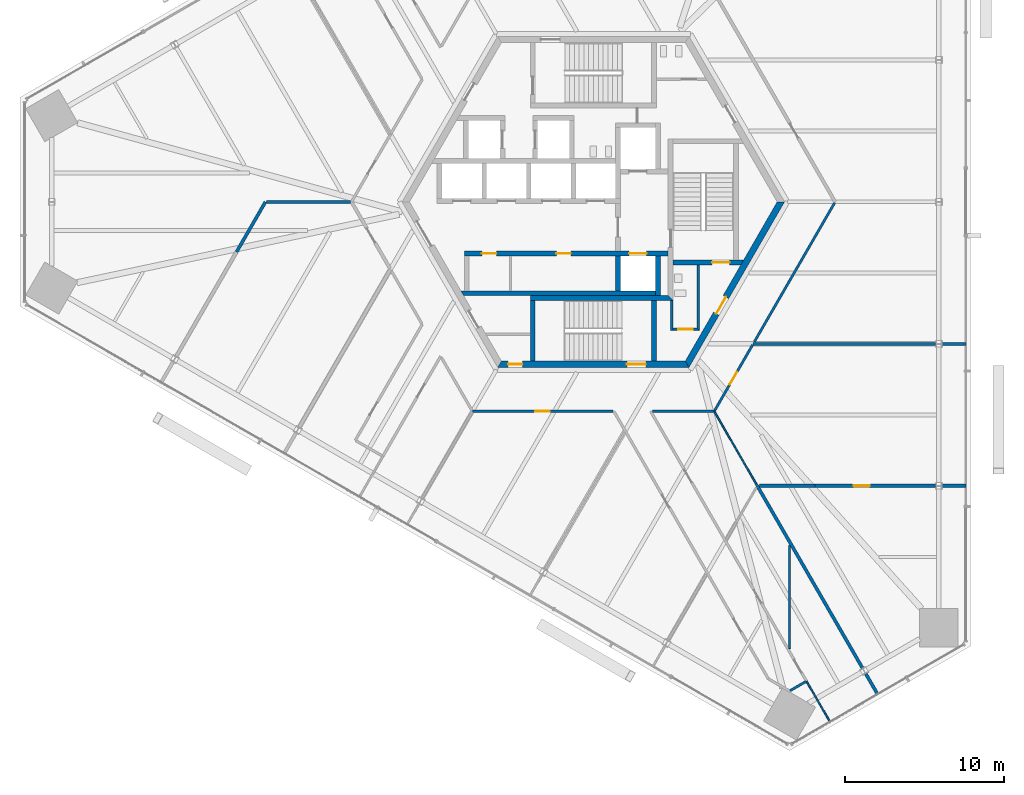
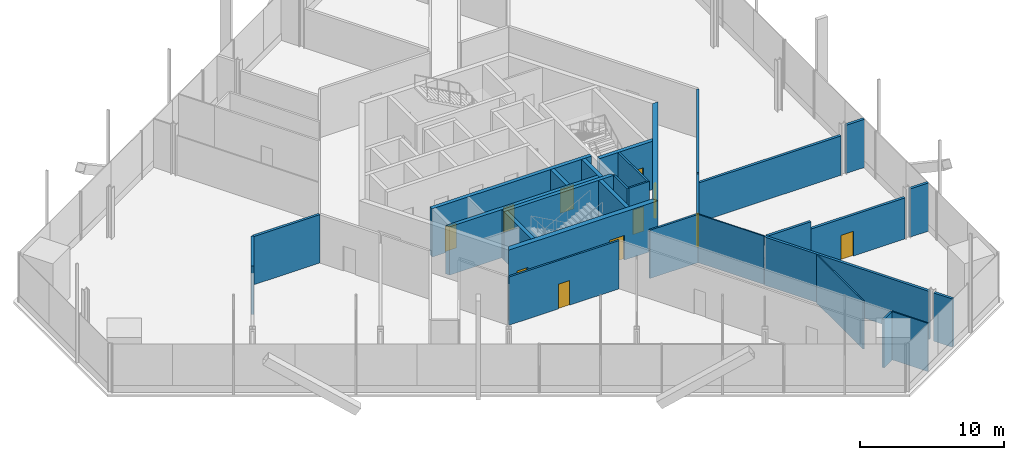
# One storey, part 11 of 19: 30 walls, 11 doors, 11 openings.
"""IFC4 building model written with IfcOpenShell, lengths in metres."""

from ifc_helpers import new_model, si_unit, direction, frame, frame_2d, origin, place, context, subcontext, project, spatial, polyline, rectangle, outline, extrude, source, transform, mapped, material, layer, layer_set, type_object, element, fill, save


model = new_model("IFC4")

# Units and contexts
model_context = context("Model", 3, precision=1e-05, world=origin(), true_north=direction((0.0, 1.0)))
body_context = subcontext(model_context, "Body", "Model", "MODEL_VIEW")
ifc_project = project(units=[si_unit("LENGTHUNIT", "METRE"), si_unit("AREAUNIT", "SQUARE_METRE"), si_unit("VOLUMEUNIT", "CUBIC_METRE"), si_unit("PLANEANGLEUNIT", "RADIAN"), si_unit("MASSUNIT", "GRAM", prefix="KILO")], contexts=[model_context])

# Site, building, storey
site_placement = place(None, origin())
site = spatial("IfcSite", under=ifc_project, at=site_placement, CompositionType="ELEMENT")
building_placement = place(site_placement, origin())
building = spatial("IfcBuilding", under=site, at=building_placement, Name="Triune Harvest Tower", CompositionType="ELEMENT")
storey_placement = place(building_placement, frame((0.0, 0.0, 41.800048828125)))
storey = spatial("IfcBuildingStorey", under=building, at=storey_placement, Name="L09", CompositionType="ELEMENT", Elevation=41.800048828125)

# Wall, opening, door
ifc_material_1 = material(Name="Gypsum board on steel studs", Category="steel")
ifc_layer_1 = layer(ifc_material_1, 0.14990234375)
ifc_layer_set_1 = layer_set([ifc_layer_1], Name="Gypsum board on steel studs")
wall_type_1 = type_object("IfcWallType", Name="Fire Partition 150 mm", PredefinedType="PARTITIONING", material=ifc_layer_set_1)
wall_1_placement = place(storey_placement, frame((-7.587646484375, -13.142333984375, 0.0), z_axis=(0.0, 0.0, 1.0), x_axis=(1.0, 0.0, 0.0)))
wall_1 = element("IfcWall", 1, at=wall_1_placement, inside=storey, type_object=wall_type_1, Name="Partition L09 028", PredefinedType="PARTITIONING", context=body_context, shape_type="SweptSolid", body=[
    extrude(rectangle(XDim=8.82666015625, YDim=0.14990234375, at=frame_2d((4.413330078125, 0.0))), origin(), (0.0, 0.0, 1.0), 4.099853515625),
])
opening_1_placement = place(wall_1_placement, frame((3.949951171875, 0.0, 0.0)))
opening_1 = element("IfcOpeningElement", 2, at=opening_1_placement, cuts=wall_1, Name="Opening L09-016", PredefinedType="OPENING", context=body_context, shape_type="SweptSolid", body=[
    extrude(rectangle(XDim=0.89990234375, YDim=2.10009765625, at=frame_2d((0.449951171875, 1.050048828125))), frame((0.0, 0.0849609375, 0.0), z_axis=(0.0, -1.0, 0.0), x_axis=(1.0, 0.0, 0.0)), (0.0, 0.0, 1.0), 0.169921875),
])
ifc_material_2 = material(Name="Timber and steel door set", Category="steel")
door_type_1 = type_object("IfcDoorType", Name="Single leaf door FD30 right hand 900 x 2100", OperationType="SINGLE_SWING_RIGHT", PredefinedType="DOOR", material=ifc_material_2)
door_1_placement = place(opening_1_placement, origin())
door_1 = element("IfcDoor", 3, at=door_1_placement, inside=storey, type_object=door_type_1, Name="Door L09-016 Packing Room 09.16", OperationType="SINGLE_SWING_RIGHT", OverallHeight=2.10009765625, OverallWidth=0.89990234375, PredefinedType="DOOR", context=body_context, shape_type="SweptSolid", body=[
    extrude(rectangle(XDim=0.89990234375, YDim=2.10009765625, at=frame_2d((0.449951171875, 1.050048828125))), frame((0.0, 0.02490234375, 0.0), z_axis=(0.0, -1.0, 0.0), x_axis=(1.0, 0.0, 0.0)), (0.0, 0.0, 1.0), 0.050048828125),
])
fill(opening_1, door_1)

# Wall
wall_2_placement = place(storey_placement, frame((3.708251953125, -13.142333984375, 0.0), z_axis=(0.0, 0.0, 1.0), x_axis=(1.0, 0.0, 0.0)))
element("IfcWall", 4, at=wall_2_placement, inside=storey, type_object=wall_type_1, Name="Partition L09 029", PredefinedType="PARTITIONING", context=body_context, shape_type="SweptSolid", body=[
    extrude(rectangle(XDim=3.859375, YDim=0.14990234375, at=frame_2d((1.9296875, 0.0))), origin(), (0.0, 0.0, 1.0), 4.099853515625),
])

# Wall, opening, door
wall_3_placement = place(storey_placement, frame((7.602783203125, -13.1162109375, 0.0), z_axis=(0.0, 0.0, 1.0), x_axis=(0.500011970786, 0.866018492338, 0.0)))
wall_3 = element("IfcWall", 5, at=wall_3_placement, inside=storey, type_object=wall_type_1, Name="Partition L09 041", PredefinedType="PARTITIONING", context=body_context, shape_type="SweptSolid", body=[
    extrude(rectangle(XDim=4.79345703125, YDim=0.14990234375, at=frame_2d((2.396728515625, 0.0))), origin(), (0.0, 0.0, 1.0), 4.099853515625),
])
opening_2_placement = place(wall_3_placement, frame((1.919921875, 0.0, 0.0)))
opening_2 = element("IfcOpeningElement", 6, at=opening_2_placement, cuts=wall_3, Name="Opening L09-002", PredefinedType="OPENING", context=body_context, shape_type="SweptSolid", body=[
    extrude(rectangle(XDim=0.89990234375, YDim=2.10009765625, at=frame_2d((0.449951171875, 1.050048828125))), frame((0.0, 0.0849609375, 0.0), z_axis=(0.0, -1.0, 0.0), x_axis=(1.0, 0.0, 0.0)), (0.0, 0.0, 1.0), 0.169921875),
])
door_2_placement = place(opening_2_placement, origin())
door_2 = element("IfcDoor", 7, at=door_2_placement, inside=storey, type_object=door_type_1, Name="Door L09-002 Packing Room 09.02", OperationType="SINGLE_SWING_RIGHT", OverallHeight=2.10009765625, OverallWidth=0.89990234375, PredefinedType="DOOR", context=body_context, shape_type="SweptSolid", body=[
    extrude(rectangle(XDim=0.89990234375, YDim=2.10009765625, at=frame_2d((0.449951171875, 1.050048828125))), frame((0.0, 0.02490234375, 0.0), z_axis=(0.0, -1.0, 0.0), x_axis=(1.0, 0.0, 0.0)), (0.0, 0.0, 1.0), 0.050048828125),
])
fill(opening_2, door_2)

# Walls
wall_4_placement = place(storey_placement, frame((10.099609375, -8.791748046875, 0.0), z_axis=(0.0, 0.0, 1.0), x_axis=(0.499985875816, 0.866033558232, 0.0)))
element("IfcWall", 8, at=wall_4_placement, inside=storey, type_object=wall_type_1, Name="Partition L09 042", PredefinedType="PARTITIONING", context=body_context, shape_type="SweptSolid", body=[
    extrude(rectangle(XDim=10.081787109375, YDim=0.14990234375, at=frame_2d((5.041015625, 0.0))), origin(), (0.0, 0.0, 1.0), 4.099853515625),
])
ifc_material_3 = material(Name="Gypsum board on steel studs", Category="steel")
ifc_layer_2 = layer(ifc_material_3, 0.199951171875)
ifc_layer_set_2 = layer_set([ifc_layer_2], Name="Gypsum board on steel studs")
wall_type_2 = type_object("IfcWallType", Name="Fire Wall 200 mm", PredefinedType="PARTITIONING", material=ifc_layer_set_2)
wall_5_placement = place(storey_placement, frame((10.288330078125, -17.820068359375, 0.0), z_axis=(0.0, 0.0, 1.0), x_axis=(0.500008633047, -0.866020419435, 0.0)))
element("IfcWall", 9, at=wall_5_placement, inside=storey, type_object=wall_type_2, Name="Partition L09 015", PredefinedType="PARTITIONING", context=body_context, shape_type="SweptSolid", body=[
    extrude(rectangle(XDim=13.218505859375, YDim=0.199951171875, at=frame_2d((6.609375, 0.0))), origin(), (0.0, 0.0, 1.0), 4.099853515625),
])
wall_6_placement = place(storey_placement, frame((10.4384765625, -17.820068359375, 0.0), z_axis=(0.0, 0.0, 1.0), x_axis=(1.0, 0.0, 0.0)))
element("IfcWall", 10, at=wall_6_placement, inside=storey, type_object=wall_type_2, Name="Partition L09 026", PredefinedType="PARTITIONING", context=body_context, shape_type="SweptSolid", body=[
    extrude(rectangle(XDim=3.4794921875, YDim=0.199951171875, at=frame_2d((1.73974609375, 0.0))), origin(), (0.0, 0.0, 1.0), 4.099853515625),
])
wall_7_placement = place(storey_placement, frame((-20.506591796875, 0.0, 0.0), z_axis=(0.0, 0.0, 1.0), x_axis=(1.0, 0.0, 0.0)))
element("IfcWall", 11, at=wall_7_placement, inside=storey, type_object=wall_type_2, Name="Partition L09 032", PredefinedType="PARTITIONING", context=body_context, shape_type="SweptSolid", body=[
    extrude(rectangle(XDim=5.28125, YDim=0.199951171875, at=frame_2d((2.640625, 0.0))), origin(), (0.0, 0.0, 1.0), 4.099853515625),
])
wall_8_placement = place(storey_placement, frame((-22.3916015625, -3.143310546875, 0.0), z_axis=(0.0, 0.0, 1.0), x_axis=(0.500031038943, 0.8660074827, 0.0)))
element("IfcWall", 12, at=wall_8_placement, inside=storey, type_object=wall_type_2, Name="Partition L09 062a", PredefinedType="PARTITIONING", context=body_context, shape_type="SweptSolid", body=[
    extrude(rectangle(XDim=3.629638671875, YDim=0.199951171875, at=frame_2d((1.81494140625, 0.0))), origin(), (0.0, 0.0, 1.0), 4.099853515625),
])
ifc_material_4 = material(Name="Gypsum board on steel studs", Category="steel")
ifc_layer_3 = layer(ifc_material_4, 0.10009765625)
ifc_layer_set_3 = layer_set([ifc_layer_3], Name="Gypsum board on steel studs")
wall_type_3 = type_object("IfcWallType", Name="Partition 100 mm", PredefinedType="PARTITIONING", material=ifc_layer_set_3)
wall_9_placement = place(storey_placement, frame((7.587646484375, -13.142333984375, 0.0), z_axis=(0.0, 0.0, 1.0), x_axis=(0.499998380488, -0.866026338808, 0.0)))
element("IfcWall", 13, at=wall_9_placement, inside=storey, type_object=wall_type_3, Name="Partition L09 014", PredefinedType="PARTITIONING", context=body_context, shape_type="SweptSolid", body=[
    extrude(rectangle(XDim=5.361328125, YDim=0.10009765625, at=frame_2d((2.6806640625, 0.0))), origin(), (0.0, 0.0, 1.0), 4.099853515625),
])
wall_10_placement = place(storey_placement, frame((12.30908203125, -28.039794921875, 0.0), z_axis=(0.0, 0.0, 1.0), x_axis=(0.0, 1.0, 0.0)))
element("IfcWall", 14, at=wall_10_placement, inside=storey, type_object=wall_type_3, Name="Partition L09 063", PredefinedType="PARTITIONING", context=body_context, shape_type="SweptSolid", body=[
    extrude(rectangle(XDim=6.4697265625, YDim=0.10009765625, at=frame_2d((3.23486328125, 0.0))), origin(), (0.0, 0.0, 1.0), 4.099853515625),
])

# Wall, openings, doors
ifc_material_5 = material(Name="Concrete 70 MPa", Category="concrete")
ifc_layer_4 = layer(ifc_material_5, 0.39990234375)
ifc_layer_set_4 = layer_set([ifc_layer_4], Name="Concrete 70 MPa")
wall_type_4 = type_object("IfcWallType", Name="Core wall 400", PredefinedType="SHEAR", material=ifc_layer_set_4)
shared_shape_1 = source(origin(), body_context, "Body", "SweptSolid", [
    extrude(outline(polyline([(-0.115478515625, -0.199951171875), (11.884521484375, -0.199951171875), (11.653564453125, 0.199951171875), (0.115478515625, 0.199951171875), (-0.115478515625, -0.199951171875)])), origin(), (0.0, 0.0, 1.0), 4.099853515625),
])
wall_11_placement = place(storey_placement, frame((-5.884521484375, -10.1923828125, 0.0), z_axis=(0.0, 0.0, 1.0), x_axis=(1.0, 0.0, 0.0)))
wall_11 = element("IfcWall", 15, at=wall_11_placement, inside=storey, type_object=wall_type_4, Name="Hexagon 4 wall", PredefinedType="SHEAR", context=body_context, shape_type="MappedRepresentation", body=[
    mapped(shared_shape_1, transform((0.0, 0.0, 0.0), scale=1.0)),
])
opening_3_placement = place(wall_11_placement, frame((7.984619140625, 0.0, 0.0)))
opening_3 = element("IfcOpeningElement", 16, at=opening_3_placement, cuts=wall_11, Name="Opening CD-S2P", PredefinedType="OPENING", context=body_context, shape_type="SweptSolid", body=[
    extrude(rectangle(XDim=1.199951171875, YDim=2.10009765625, at=frame_2d((0.60009765625, 1.050048828125))), frame((0.0, 0.2099609375, 0.0), z_axis=(0.0, -1.0, 0.0), x_axis=(1.0, 0.0, 0.0)), (0.0, 0.0, 1.0), 0.419921875),
])
opening_4_placement = place(wall_11_placement, frame((0.534423828125, 0.0, 0.0)))
opening_4 = element("IfcOpeningElement", 17, at=opening_4_placement, cuts=wall_11, Name="Opening CD-SWS", PredefinedType="OPENING", context=body_context, shape_type="SweptSolid", body=[
    extrude(rectangle(XDim=0.89990234375, YDim=2.10009765625, at=frame_2d((0.449951171875, 1.050048828125))), frame((0.0, 0.2099609375, 0.0), z_axis=(0.0, -1.0, 0.0), x_axis=(1.0, 0.0, 0.0)), (0.0, 0.0, 1.0), 0.419921875),
])
ifc_material_6 = material(Name="Steel S235", Category="steel")
door_type_2 = type_object("IfcDoorType", Name="Riser door 900 FD120", OperationType="SINGLE_SWING_LEFT", PredefinedType="DOOR", material=ifc_material_6)
door_3_placement = place(opening_4_placement, frame((0.89990234375, 0.0, 0.0), z_axis=(0.0, 0.0, 1.0), x_axis=(-1.0, 0.0, 0.0)))
door_3 = element("IfcDoor", 18, at=door_3_placement, inside=storey, type_object=door_type_2, Name="Door CD-SWS", OperationType="SINGLE_SWING_RIGHT", OverallHeight=2.10009765625, OverallWidth=0.89990234375, PredefinedType="DOOR", context=body_context, shape_type="SweptSolid", body=[
    extrude(rectangle(XDim=0.89990234375, YDim=2.10009765625, at=frame_2d((0.449951171875, 1.050048828125))), frame((0.0, 0.02490234375, 0.0), z_axis=(0.0, -1.0, 0.0), x_axis=(1.0, 0.0, 0.0)), (0.0, 0.0, 1.0), 0.050048828125),
])
fill(opening_4, door_3)
ifc_material_7 = material(Name="Steel S235", Category="steel")
door_type_3 = type_object("IfcDoorType", Name="Stair door 1200 FD120", OperationType="SINGLE_SWING_LEFT", PredefinedType="DOOR", material=ifc_material_7)
door_4_placement = place(opening_3_placement, frame((1.199951171875, 0.0, 0.0), z_axis=(0.0, 0.0, 1.0), x_axis=(-1.0, 0.0, 0.0)))
door_4 = element("IfcDoor", 19, at=door_4_placement, inside=storey, type_object=door_type_3, Name="Door CD-S2P", OperationType="SINGLE_SWING_RIGHT", OverallHeight=2.10009765625, OverallWidth=1.199951171875, PredefinedType="DOOR", context=body_context, shape_type="SweptSolid", body=[
    extrude(rectangle(XDim=1.199951171875, YDim=2.10009765625, at=frame_2d((0.60009765625, 1.050048828125))), frame((0.0, 0.02490234375, 0.0), z_axis=(0.0, -1.0, 0.0), x_axis=(1.0, 0.0, 0.0)), (0.0, 0.0, 1.0), 0.050048828125),
])
fill(opening_3, door_4)

# Wall, opening, door
wall_12_placement = place(storey_placement, frame((5.884521484375, -10.1923828125, 0.0), z_axis=(0.0, 0.0, 1.0), x_axis=(0.499996592174, 0.866027371285, 0.0)))
wall_12 = element("IfcWall", 20, at=wall_12_placement, inside=storey, type_object=wall_type_4, Name="Hexagon 5 wall", PredefinedType="SHEAR", context=body_context, shape_type="MappedRepresentation", body=[
    mapped(shared_shape_1, transform((0.0, 0.0, 0.0), scale=1.0)),
])
opening_5_placement = place(wall_12_placement, frame((3.66455078125, 0.0, 0.0)))
opening_5 = element("IfcOpeningElement", 21, at=opening_5_placement, cuts=wall_12, Name="Opening CD-DP", PredefinedType="OPENING", context=body_context, shape_type="SweptSolid", body=[
    extrude(rectangle(XDim=1.199951171875, YDim=2.10009765625, at=frame_2d((0.60009765625, 1.050048828125))), frame((0.0, 0.2099609375, 0.0), z_axis=(0.0, -1.0, 0.0), x_axis=(1.0, 0.0, 0.0)), (0.0, 0.0, 1.0), 0.419921875),
])
door_5_placement = place(opening_5_placement, frame((1.199951171875, 0.0, 0.0), z_axis=(0.0, 0.0, 1.0), x_axis=(-1.0, 0.0, 0.0)))
door_5 = element("IfcDoor", 22, at=door_5_placement, inside=storey, type_object=door_type_3, Name="Door CD-DP", OperationType="SINGLE_SWING_RIGHT", OverallHeight=2.10009765625, OverallWidth=1.199951171875, PredefinedType="DOOR", context=body_context, shape_type="SweptSolid", body=[
    extrude(rectangle(XDim=1.199951171875, YDim=2.10009765625, at=frame_2d((0.60009765625, 1.050048828125))), frame((0.0, 0.02490234375, 0.0), z_axis=(0.0, -1.0, 0.0), x_axis=(1.0, 0.0, 0.0)), (0.0, 0.0, 1.0), 0.050048828125),
])
fill(opening_5, door_5)

# Wall
ifc_material_8 = material(Name="Concrete 70 MPa", Category="concrete")
ifc_layer_5 = layer(ifc_material_8, 0.300048828125)
ifc_layer_set_5 = layer_set([ifc_layer_5], Name="Concrete 70 MPa")
wall_type_5 = type_object("IfcWallType", Name="Core wall 300", PredefinedType="SHEAR", material=ifc_layer_set_5)
shared_shape_2 = source(origin(), body_context, "Body", "SweptSolid", [
    extrude(rectangle(XDim=2.5, YDim=0.300048828125, at=frame_2d((1.25, 0.0))), origin(), (0.0, 0.0, 1.0), 4.099853515625),
])
wall_13_placement = place(storey_placement, frame((4.050048828125, -5.889892578125, 0.0), z_axis=(0.0, 0.0, 1.0), x_axis=(0.0, 1.0, 0.0)))
element("IfcWall", 23, at=wall_13_placement, inside=storey, type_object=wall_type_5, Name="Ff2 east wall", PredefinedType="SHEAR", context=body_context, shape_type="MappedRepresentation", body=[
    mapped(shared_shape_2, transform((0.0, 0.0, 0.0), scale=1.0)),
])

# Wall, openings, doors
shared_shape_3 = source(origin(), body_context, "Body", "SweptSolid", [
    extrude(rectangle(XDim=12.800048828125, YDim=0.300048828125, at=frame_2d((6.39990234375, 0.0))), origin(), (0.0, 0.0, 1.0), 4.099853515625),
])
wall_14_placement = place(storey_placement, frame((-8.10009765625, -3.239990234375, 0.0), z_axis=(0.0, 0.0, 1.0), x_axis=(1.0, 0.0, 0.0)))
wall_14 = element("IfcWall", 24, at=wall_14_placement, inside=storey, type_object=wall_type_5, Name="South front wall", PredefinedType="SHEAR", context=body_context, shape_type="MappedRepresentation", body=[
    mapped(shared_shape_3, transform((0.0, 0.0, 0.0), scale=1.0)),
])
opening_6_placement = place(wall_14_placement, frame((1.112548828125, 0.0, 0.0)))
opening_6 = element("IfcOpeningElement", 25, at=opening_6_placement, cuts=wall_14, Name="Opening CD-RS1", PredefinedType="OPENING", context=body_context, shape_type="SweptSolid", body=[
    extrude(rectangle(XDim=0.89990234375, YDim=2.10009765625, at=frame_2d((0.449951171875, 1.050048828125))), frame((0.0, 0.16015625, 0.0), z_axis=(0.0, -1.0, 0.0), x_axis=(1.0, 0.0, 0.0)), (0.0, 0.0, 1.0), 0.320068359375),
])
opening_7_placement = place(wall_14_placement, frame((5.78759765625, 0.0, 0.0)))
opening_7 = element("IfcOpeningElement", 26, at=opening_7_placement, cuts=wall_14, Name="Opening CD-RS2", PredefinedType="OPENING", context=body_context, shape_type="SweptSolid", body=[
    extrude(rectangle(XDim=0.89990234375, YDim=2.10009765625, at=frame_2d((0.449951171875, 1.050048828125))), frame((0.0, 0.16015625, 0.0), z_axis=(0.0, -1.0, 0.0), x_axis=(1.0, 0.0, 0.0)), (0.0, 0.0, 1.0), 0.320068359375),
])
opening_8_placement = place(wall_14_placement, frame((10.35009765625, 0.0, 0.0)))
opening_8 = element("IfcOpeningElement", 27, at=opening_8_placement, cuts=wall_14, Name="Opening LD-FF2-09", PredefinedType="OPENING", context=body_context, shape_type="SweptSolid", body=[
    extrude(rectangle(XDim=1.10009765625, YDim=2.10009765625, at=frame_2d((0.550048828125, 1.050048828125))), frame((0.0, 0.16015625, 0.0), z_axis=(0.0, -1.0, 0.0), x_axis=(1.0, 0.0, 0.0)), (0.0, 0.0, 1.0), 0.320068359375),
])
ifc_material_9 = material(Name="Stainless steel AISI 304", Category="steel")
door_type_4 = type_object("IfcDoorType", Name="Landing door 1100 x 2100", OperationType="DOUBLE_DOOR_SLIDING", PredefinedType="DOOR", material=ifc_material_9)
door_6_placement = place(opening_8_placement, origin())
door_6 = element("IfcDoor", 28, at=door_6_placement, inside=storey, type_object=door_type_4, Name="Door LD-FF2-09", OperationType="DOUBLE_DOOR_SLIDING", OverallHeight=2.10009765625, OverallWidth=1.10009765625, PredefinedType="DOOR", context=body_context, shape_type="SweptSolid", body=[
    extrude(rectangle(XDim=1.10009765625, YDim=2.10009765625, at=frame_2d((0.550048828125, 1.050048828125))), frame((0.0, 0.02490234375, 0.0), z_axis=(0.0, -1.0, 0.0), x_axis=(1.0, 0.0, 0.0)), (0.0, 0.0, 1.0), 0.050048828125),
])
fill(opening_8, door_6)
door_7_placement = place(opening_6_placement, origin())
door_7 = element("IfcDoor", 29, at=door_7_placement, inside=storey, type_object=door_type_2, Name="Door CD-RS1", OperationType="SINGLE_SWING_LEFT", OverallHeight=2.10009765625, OverallWidth=0.89990234375, PredefinedType="DOOR", context=body_context, shape_type="SweptSolid", body=[
    extrude(rectangle(XDim=0.89990234375, YDim=2.10009765625, at=frame_2d((0.449951171875, 1.050048828125))), frame((0.0, 0.02490234375, 0.0), z_axis=(0.0, -1.0, 0.0), x_axis=(1.0, 0.0, 0.0)), (0.0, 0.0, 1.0), 0.050048828125),
])
fill(opening_6, door_7)
door_8_placement = place(opening_7_placement, origin())
door_8 = element("IfcDoor", 30, at=door_8_placement, inside=storey, type_object=door_type_2, Name="Door CD-RS2", OperationType="SINGLE_SWING_LEFT", OverallHeight=2.10009765625, OverallWidth=0.89990234375, PredefinedType="DOOR", context=body_context, shape_type="SweptSolid", body=[
    extrude(rectangle(XDim=0.89990234375, YDim=2.10009765625, at=frame_2d((0.449951171875, 1.050048828125))), frame((0.0, 0.02490234375, 0.0), z_axis=(0.0, -1.0, 0.0), x_axis=(1.0, 0.0, 0.0)), (0.0, 0.0, 1.0), 0.050048828125),
])
fill(opening_7, door_8)

# Walls
shared_shape_4 = source(origin(), body_context, "Body", "SweptSolid", [
    extrude(outline(polyline([(12.0, -0.14990234375), (-0.039794921875, -0.14990234375), (-0.212890625, 0.14990234375), (12.0, 0.14990234375), (12.0, -0.14990234375)])), origin(), (0.0, 0.0, 1.0), 4.099853515625),
])
wall_15_placement = place(storey_placement, frame((-8.10009765625, -5.739990234375, 0.0), z_axis=(0.0, 0.0, 1.0), x_axis=(1.0, 0.0, 0.0)))
element("IfcWall", 31, at=wall_15_placement, inside=storey, type_object=wall_type_5, Name="South back wall", PredefinedType="SHEAR", context=body_context, shape_type="MappedRepresentation", body=[
    mapped(shared_shape_4, transform((0.0, 0.0, 0.0), scale=1.0)),
])
shared_shape_5 = source(origin(), body_context, "Body", "SweptSolid", [
    extrude(rectangle(XDim=2.2001953125, YDim=0.300048828125, at=frame_2d((1.10009765625, 0.0))), origin(), (0.0, 0.0, 1.0), 4.099853515625),
])
wall_16_placement = place(storey_placement, frame((1.550048828125, -5.590087890625, 0.0), z_axis=(0.0, 0.0, 1.0), x_axis=(0.0, 1.0, 0.0)))
element("IfcWall", 32, at=wall_16_placement, inside=storey, type_object=wall_type_5, Name="Ff2 west wall", PredefinedType="SHEAR", context=body_context, shape_type="MappedRepresentation", body=[
    mapped(shared_shape_5, transform((0.0, 0.0, 0.0), scale=1.0)),
])

# Wall, opening, door
shared_shape_6 = source(origin(), body_context, "Body", "SweptSolid", [
    extrude(outline(polyline([(0.0, -0.14990234375), (0.0, 0.14990234375), (4.43310546875, 0.14990234375), (4.260009765625, -0.14990234375), (0.0, -0.14990234375)])), origin(), (0.0, 0.0, 1.0), 4.099853515625),
])
wall_17_placement = place(storey_placement, frame((5.0, -3.800048828125, 0.0), z_axis=(0.0, 0.0, 1.0), x_axis=(1.0, 0.0, 0.0)))
wall_17 = element("IfcWall", 33, at=wall_17_placement, inside=storey, type_object=wall_type_5, Name="Stair e south wall", PredefinedType="SHEAR", context=body_context, shape_type="MappedRepresentation", body=[
    mapped(shared_shape_6, transform((0.0, 0.0, 0.0), scale=1.0)),
])
opening_9_placement = place(wall_17_placement, frame((2.449951171875, 0.0, 0.0)))
opening_9 = element("IfcOpeningElement", 34, at=opening_9_placement, cuts=wall_17, Name="Opening CD-S3D", PredefinedType="OPENING", context=body_context, shape_type="SweptSolid", body=[
    extrude(rectangle(XDim=1.10009765625, YDim=2.10009765625, at=frame_2d((0.550048828125, 1.050048828125))), frame((0.0, 0.16015625, 0.0), z_axis=(0.0, -1.0, 0.0), x_axis=(1.0, 0.0, 0.0)), (0.0, 0.0, 1.0), 0.320068359375),
])
ifc_material_10 = material(Name="Steel S235", Category="steel")
door_type_5 = type_object("IfcDoorType", Name="Stair door 1100 FD120", OperationType="SINGLE_SWING_LEFT", PredefinedType="DOOR", material=ifc_material_10)
door_9_placement = place(opening_9_placement, frame((1.10009765625, 0.0, 0.0), z_axis=(0.0, 0.0, 1.0), x_axis=(-1.0, 0.0, 0.0)))
door_9 = element("IfcDoor", 35, at=door_9_placement, inside=storey, type_object=door_type_5, Name="Door CD-S3D", OperationType="SINGLE_SWING_RIGHT", OverallHeight=2.10009765625, OverallWidth=1.10009765625, PredefinedType="DOOR", context=body_context, shape_type="SweptSolid", body=[
    extrude(rectangle(XDim=1.10009765625, YDim=2.10009765625, at=frame_2d((0.550048828125, 1.050048828125))), frame((0.0, 0.02490234375, 0.0), z_axis=(0.0, -1.0, 0.0), x_axis=(1.0, 0.0, 0.0)), (0.0, 0.0, 1.0), 0.050048828125),
])
fill(opening_9, door_9)

# Walls
shared_shape_7 = source(origin(), body_context, "Body", "SweptSolid", [
    extrude(outline(polyline([(0.0, -0.14990234375), (8.949951171875, -0.14990234375), (8.64990234375, 0.14990234375), (0.0, 0.14990234375), (0.0, -0.14990234375)])), origin(), (0.0, 0.0, 1.0), 4.099853515625),
])
wall_18_placement = place(storey_placement, frame((-3.949951171875, -6.0400390625, 0.0), z_axis=(0.0, 0.0, 1.0), x_axis=(1.0, 0.0, 0.0)))
element("IfcWall", 36, at=wall_18_placement, inside=storey, type_object=wall_type_5, Name="Stair s north wall", PredefinedType="SHEAR", context=body_context, shape_type="MappedRepresentation", body=[
    mapped(shared_shape_7, transform((0.0, 0.0, 0.0), scale=1.0)),
])
shared_shape_8 = source(origin(), body_context, "Body", "SweptSolid", [
    extrude(outline(polyline([(3.800048828125, -0.14990234375), (-0.00439453125, -0.14990234375), (-0.00439453125, 0.14990234375), (3.800048828125, 0.14990234375), (3.800048828125, -0.14990234375)])), origin(), (0.0, 0.0, 1.0), 4.099853515625),
])
for number, where, z_axis, x_axis, name in (
    (37, (-3.800048828125, -9.989990234375, 0.0), (0.0, 0.0, 1.0), (0.0, 1.0, 0.0), "Stair s west wall"),
    (38, (3.800048828125, -9.989990234375, 0.0), (0.0, 0.0, 1.0), (0.0, 1.0, 0.0), "Stair s east wall"),
):
    element("IfcWall", number, at=place(storey_placement, frame(where, z_axis=z_axis, x_axis=x_axis)), inside=storey, type_object=wall_type_5, Name=name, PredefinedType="SHEAR", context=body_context, shape_type="MappedRepresentation", body=[
        mapped(shared_shape_8, transform((0.0, 0.0, 0.0), scale=1.0)),
    ])

# Wall, opening, door
ifc_material_11 = material(Name="Concrete masonry unit", Category="masonry")
ifc_layer_6 = layer(ifc_material_11, 0.14990234375)
ifc_layer_set_6 = layer_set([ifc_layer_6], Name="Concrete masonry unit")
wall_type_6 = type_object("IfcWallType", Name="Block partition 150 unrated", PredefinedType="PARTITIONING", material=ifc_layer_set_6)
shared_shape_9 = source(origin(), body_context, "Body", "SweptSolid", [
    extrude(outline(polyline([(0.0, -0.074951171875), (1.64990234375, -0.074951171875), (1.5, 0.074951171875), (0.0, 0.074951171875), (0.0, -0.074951171875)])), origin(), (0.0, 0.0, 1.0), 4.099853515625),
])
wall_19_placement = place(storey_placement, frame((5.0, -8.0, 0.0), z_axis=(0.0, 0.0, 1.0), x_axis=(1.0, 0.0, 0.0)))
wall_19 = element("IfcWall", 39, at=wall_19_placement, inside=storey, type_object=wall_type_6, Name="Wc acc south wall", PredefinedType="PARTITIONING", context=body_context, shape_type="MappedRepresentation", body=[
    mapped(shared_shape_9, transform((0.0, 0.0, 0.0), scale=1.0)),
])
opening_10_placement = place(wall_19_placement, frame((0.33740234375, 0.0, 0.0)))
opening_10 = element("IfcOpeningElement", 40, at=opening_10_placement, cuts=wall_19, Name="Opening CD-WA", PredefinedType="OPENING", context=body_context, shape_type="SweptSolid", body=[
    extrude(rectangle(XDim=0.89990234375, YDim=2.10009765625, at=frame_2d((0.449951171875, 1.050048828125))), frame((0.0, 0.0849609375, 0.0), z_axis=(0.0, -1.0, 0.0), x_axis=(1.0, 0.0, 0.0)), (0.0, 0.0, 1.0), 0.169921875),
])
ifc_material_12 = material(Name="Timber C24", Category="wood")
door_type_6 = type_object("IfcDoorType", Name="WC door 900", OperationType="SINGLE_SWING_LEFT", PredefinedType="DOOR", material=ifc_material_12)
door_10_placement = place(opening_10_placement, origin())
door_10 = element("IfcDoor", 41, at=door_10_placement, inside=storey, type_object=door_type_6, Name="Door CD-WA", OperationType="SINGLE_SWING_LEFT", OverallHeight=2.10009765625, OverallWidth=0.89990234375, PredefinedType="DOOR", context=body_context, shape_type="SweptSolid", body=[
    extrude(rectangle(XDim=0.89990234375, YDim=2.10009765625, at=frame_2d((0.449951171875, 1.050048828125))), frame((0.0, 0.02490234375, 0.0), z_axis=(0.0, -1.0, 0.0), x_axis=(1.0, 0.0, 0.0)), (0.0, 0.0, 1.0), 0.050048828125),
])
fill(opening_10, door_10)

# Walls
shared_shape_10 = source(origin(), body_context, "Body", "SweptSolid", [
    extrude(outline(polyline([(-0.074951171875, -0.074951171875), (4.050048828125, -0.074951171875), (4.050048828125, 0.074951171875), (0.074951171875, 0.074951171875), (-0.074951171875, -0.074951171875)])), origin(), (0.0, 0.0, 1.0), 4.099853515625),
])
wall_20_placement = place(storey_placement, frame((6.574951171875, -8.0, 0.0), z_axis=(0.0, 0.0, 1.0), x_axis=(0.0, 1.0, 0.0)))
element("IfcWall", 42, at=wall_20_placement, inside=storey, type_object=wall_type_6, Name="Wc acc east wall", PredefinedType="PARTITIONING", context=body_context, shape_type="MappedRepresentation", body=[
    mapped(shared_shape_10, transform((0.0, 0.0, 0.0), scale=1.0)),
])
shared_shape_11 = source(origin(), body_context, "Body", "SweptSolid", [
    extrude(rectangle(XDim=1.885009765625, YDim=0.14990234375, at=frame_2d((0.9423828125, 0.0))), origin(), (0.0, 0.0, 1.0), 4.099853515625),
])
wall_21_placement = place(storey_placement, frame((4.925048828125, -8.074951171875, 0.0), z_axis=(0.0, 0.0, 1.0), x_axis=(0.0, 1.0, 0.0)))
element("IfcWall", 43, at=wall_21_placement, inside=storey, type_object=wall_type_6, Name="Wc acc west wall", PredefinedType="PARTITIONING", context=body_context, shape_type="MappedRepresentation", body=[
    mapped(shared_shape_11, transform((0.0, 0.0, 0.0), scale=1.0)),
])

# Wall, opening, door
shared_shape_12 = source(origin(), body_context, "Body", "SweptSolid", [
    extrude(rectangle(XDim=7.568359375, YDim=0.199951171875, at=frame_2d((3.7841796875, 0.0))), origin(), (0.0, 0.0, 1.0), 3.48779296875),
])
wall_22_placement = place(storey_placement, frame((13.91796875, -17.820068359375, 0.0), z_axis=(0.0, 0.0, 1.0), x_axis=(1.0, 0.0, 0.0)))
wall_22 = element("IfcWall", 44, at=wall_22_placement, inside=storey, type_object=wall_type_2, Name="Partition L09 026a", PredefinedType="PARTITIONING", context=body_context, shape_type="MappedRepresentation", body=[
    mapped(shared_shape_12, transform((0.0, 0.0, 0.0), scale=1.0)),
])
opening_11_placement = place(wall_22_placement, frame((2.42041015625, 0.0, 0.0)))
opening_11 = element("IfcOpeningElement", 45, at=opening_11_placement, cuts=wall_22, Name="Opening L09-001", PredefinedType="OPENING", context=body_context, shape_type="SweptSolid", body=[
    extrude(rectangle(XDim=1.0, YDim=2.10009765625, at=frame_2d((0.5, 1.050048828125))), frame((0.0, 0.10986328125, 0.0), z_axis=(0.0, -1.0, 0.0), x_axis=(1.0, 0.0, 0.0)), (0.0, 0.0, 1.0), 0.219970703125),
])
ifc_material_13 = material(Name="Timber and steel door set", Category="steel")
door_type_7 = type_object("IfcDoorType", Name="Wide single leaf door FD60 left hand 1000 x 2100", OperationType="SINGLE_SWING_LEFT", PredefinedType="DOOR", material=ifc_material_13)
door_11_placement = place(opening_11_placement, origin())
door_11 = element("IfcDoor", 46, at=door_11_placement, inside=storey, type_object=door_type_7, Name="Door L09-001 Pollination Room 09.01", OperationType="SINGLE_SWING_LEFT", OverallHeight=2.10009765625, OverallWidth=1.0, PredefinedType="DOOR", context=body_context, shape_type="SweptSolid", body=[
    extrude(rectangle(XDim=1.0, YDim=2.10009765625, at=frame_2d((0.5, 1.050048828125))), frame((0.0, 0.02490234375, 0.0), z_axis=(0.0, -1.0, 0.0), x_axis=(1.0, 0.0, 0.0)), (0.0, 0.0, 1.0), 0.050048828125),
])
fill(opening_11, door_11)

# Walls
shared_shape_13 = source(origin(), body_context, "Body", "SweptSolid", [
    extrude(rectangle(XDim=1.49853515625, YDim=0.199951171875, at=frame_2d((0.749267578125, 0.0))), origin(), (0.0, 0.0, 1.0), 4.099853515625),
])
for number, where, z_axis, x_axis, name in (
    (47, (21.872802734375, -17.820068359375, 0.0), (0.0, 0.0, 1.0), (1.0, 0.0, 0.0), "Partition L09 027"),
    (48, (21.872802734375, -8.909912109375, 0.0), (0.0, 0.0, 1.0), (1.0, 0.0, 0.0), "Partition L09 031"),
):
    element("IfcWall", number, at=place(storey_placement, frame(where, z_axis=z_axis, x_axis=x_axis)), inside=storey, type_object=wall_type_2, Name=name, PredefinedType="PARTITIONING", context=body_context, shape_type="MappedRepresentation", body=[
        mapped(shared_shape_13, transform((0.0, 0.0, 0.0), scale=1.0)),
    ])
shared_shape_14 = source(origin(), body_context, "Body", "SweptSolid", [
    extrude(rectangle(XDim=1.498779296875, YDim=0.199951171875, at=frame_2d((0.74951171875, 0.0))), origin(), (0.0, 0.0, 1.0), 4.099853515625),
])
wall_23_placement = place(storey_placement, frame((17.0908203125, -29.602294921875, 0.0), z_axis=(0.0, 0.0, 1.0), x_axis=(0.499905760005, -0.866079806435, 0.0)))
element("IfcWall", 49, at=wall_23_placement, inside=storey, type_object=wall_type_2, Name="Partition L09 016", PredefinedType="PARTITIONING", context=body_context, shape_type="MappedRepresentation", body=[
    mapped(shared_shape_14, transform((0.0, 0.0, 0.0), scale=1.0)),
])
shared_shape_15 = source(origin(), body_context, "Body", "SweptSolid", [
    extrude(rectangle(XDim=2.94189453125, YDim=0.10009765625, at=frame_2d((1.470947265625, 0.0))), origin(), (0.0, 0.0, 1.0), 4.099853515625),
])
wall_24_placement = place(storey_placement, frame((13.377197265625, -30.079833984375, 0.0), z_axis=(0.0, 0.0, 1.0), x_axis=(0.49998584623, -0.866033575313, 0.0)))
element("IfcWall", 50, at=wall_24_placement, inside=storey, type_object=wall_type_3, Name="Partition L09 011", PredefinedType="PARTITIONING", context=body_context, shape_type="MappedRepresentation", body=[
    mapped(shared_shape_15, transform((0.0, 0.0, 0.0), scale=1.0)),
])
shared_shape_16 = source(origin(), body_context, "Body", "SweptSolid", [
    extrude(rectangle(XDim=11.455078125, YDim=0.199951171875, at=frame_2d((5.7275390625, 0.0))), origin(), (0.0, 0.0, 1.0), 3.343017578125),
])
wall_25_placement = place(storey_placement, frame((10.03125, -8.909912109375, 0.0), z_axis=(0.0, 0.0, 1.0), x_axis=(1.0, 0.0, 0.0)))
element("IfcWall", 51, at=wall_25_placement, inside=storey, type_object=wall_type_2, Name="Partition L09 030", PredefinedType="PARTITIONING", context=body_context, shape_type="MappedRepresentation", body=[
    mapped(shared_shape_16, transform((0.0, 0.0, 0.0), scale=1.0)),
])
shared_shape_17 = source(origin(), body_context, "Body", "SweptSolid", [
    extrude(rectangle(XDim=1.133544921875, YDim=0.14990234375, at=frame_2d((0.56689453125, 0.0))), origin(), (0.0, 0.0, 1.0), 4.099853515625),
])
wall_26_placement = place(storey_placement, frame((12.352294921875, -30.671630859375, 0.0), z_axis=(0.0, 0.0, 1.0), x_axis=(0.866074404425, 0.499915118794, 0.0)))
element("IfcWall", 52, at=wall_26_placement, inside=storey, type_object=wall_type_1, Name="Partition L09 035", PredefinedType="PARTITIONING", context=body_context, shape_type="MappedRepresentation", body=[
    mapped(shared_shape_17, transform((0.0, 0.0, 0.0), scale=1.0)),
])

save(model, "model.ifc")
